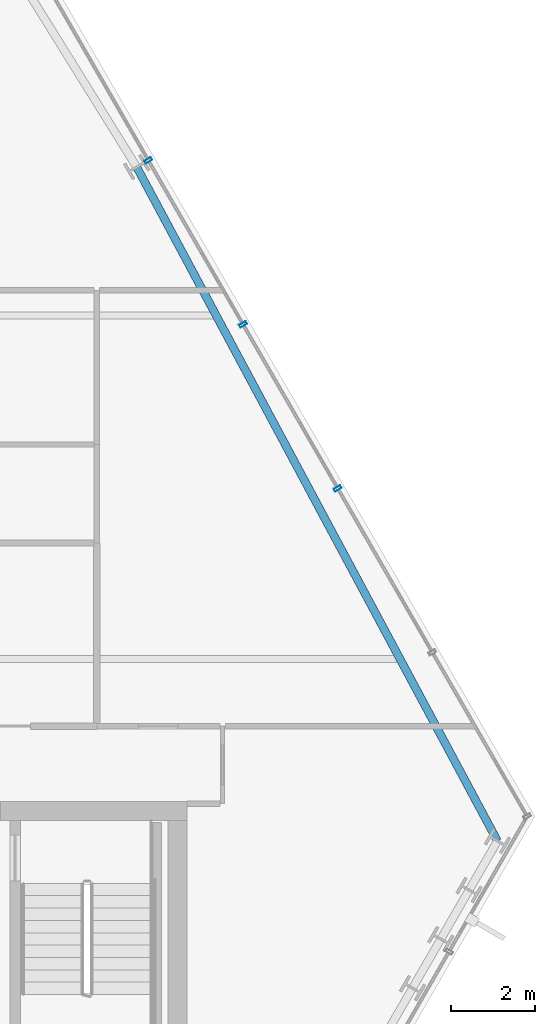
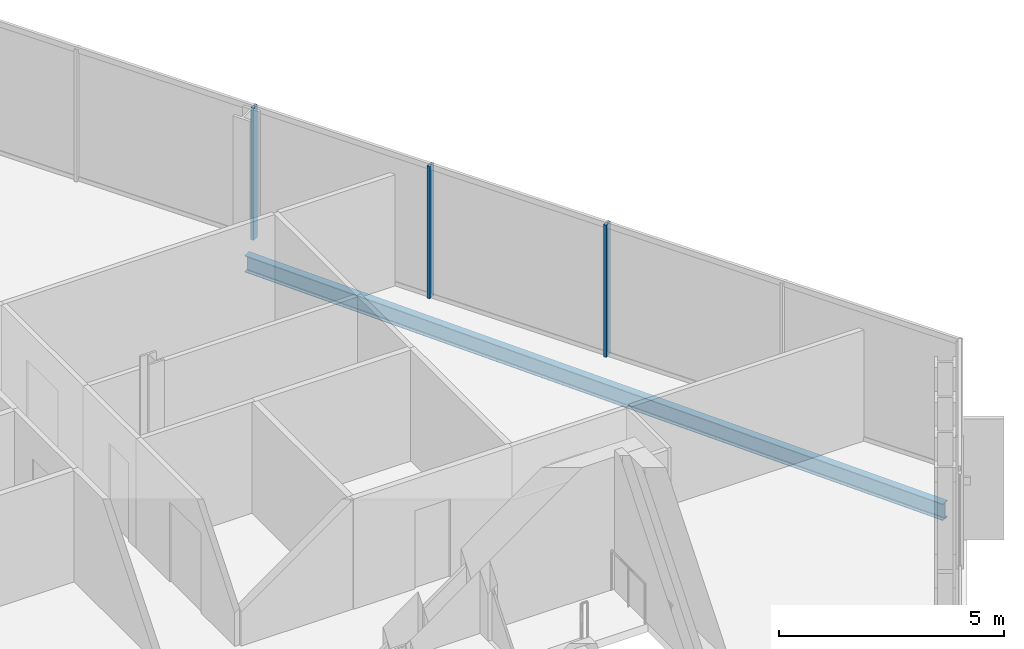
# One storey, part 18 of 33: 3 members, 1 beam, 1 element without a shape of its own.
"""IFC4 building model written with IfcOpenShell, lengths in metres."""

import ifcopenshell
import ifcopenshell.guid

model = None  # the IFC model being written
_history = None  # IfcOwnerHistory: only IFC2X3 demands one
_inside = {}  # id of a spatial element -> (the spatial element, [elements in it])
_under = {}  # id of a project, library or spatial element -> (it, [spatial elements below it])
_declared = {}  # id of a project -> (the project, [libraries it declares])
_typed = {}  # id of a type object -> (the type object, [elements of that type])
_made_of = {}  # id of a material, layer set ... -> (it, [elements and type objects made of it])


def new_model(schema):
    """Start an empty IFC model of exactly this schema.

    Asked for "IFC4X3", IfcOpenShell would pick the latest addendum, in which some entities
    have other attributes; the version numbers below select the first issue.
    IFC2X3 requires an IfcOwnerHistory on every rooted entity: one is made here for all.
    """
    global model, _history
    if schema == "IFC4X3":
        model = ifcopenshell.file(schema_version=(4, 3, 0, 0))
    else:
        model = ifcopenshell.file(schema=schema)
    _inside.clear()
    _under.clear()
    _declared.clear()
    _typed.clear()
    _made_of.clear()
    _history = None
    if model.schema == "IFC2X3":
        org = make("IfcOrganization", Name="unknown")
        user = make(
            "IfcPersonAndOrganization",
            ThePerson=make("IfcPerson", FamilyName="unknown"),
            TheOrganization=org,
        )
        app = make(
            "IfcApplication",
            ApplicationDeveloper=org,
            Version="unknown",
            ApplicationFullName="unknown",
            ApplicationIdentifier="unknown",
        )
        _history = make(
            "IfcOwnerHistory",
            OwningUser=user,
            OwningApplication=app,
            ChangeAction="ADDED",
            CreationDate=0,
        )
    return model


def make(cls, **values):
    """One entity of the class cls with the attributes given. An attribute that is None is left unset."""
    return model.create_entity(
        cls, **{name: value for name, value in values.items() if value is not None}
    )


def rooted(cls, **values):
    """An entity with a GlobalId (a new one), such as an element, a storey or a relation."""
    return make(cls, GlobalId=ifcopenshell.guid.new(), OwnerHistory=_history, **values)


def si_unit(unit_type, name, prefix=None):
    """IfcSIUnit, for example si_unit("LENGTHUNIT", "METRE", prefix="MILLI")."""
    return make("IfcSIUnit", UnitType=unit_type, Prefix=prefix, Name=name)


def assignment(units):
    """IfcUnitAssignment: the units of a project."""
    return None if units is None else make("IfcUnitAssignment", Units=units)


def point(xyz):
    """IfcCartesianPoint."""
    return None if xyz is None else make("IfcCartesianPoint", Coordinates=xyz)


def direction(xyz):
    """IfcDirection."""
    return None if xyz is None else make("IfcDirection", DirectionRatios=xyz)


def frame(location, z_axis=None, x_axis=None):
    """IfcAxis2Placement3D, a coordinate frame: its origin and axes. An axis left out is left unset."""
    return make(
        "IfcAxis2Placement3D",
        Location=point(location),
        Axis=direction(z_axis),
        RefDirection=direction(x_axis),
    )


def frame_2d(location, x_axis=None):
    """IfcAxis2Placement2D, a coordinate frame in the plane: its origin and x axis."""
    return make(
        "IfcAxis2Placement2D", Location=point(location), RefDirection=direction(x_axis)
    )


def origin():
    """The frame at (0, 0, 0) with its axes left unset."""
    return frame((0.0, 0.0, 0.0))


def origin_2d():
    """The frame at (0, 0) in the plane with its x axis left unset."""
    return frame_2d((0.0, 0.0))


def place(relative_to, where):
    """IfcLocalPlacement: puts the frame where relative to a parent placement (None: the world)."""
    return make(
        "IfcLocalPlacement", PlacementRelTo=relative_to, RelativePlacement=where
    )


def context(
    kind, dimensions, precision=None, world=None, true_north=None, identifier=None
):
    """IfcGeometricRepresentationContext, for example the 3D "Model" context."""
    return make(
        "IfcGeometricRepresentationContext",
        ContextIdentifier=identifier,
        ContextType=kind,
        CoordinateSpaceDimension=dimensions,
        Precision=precision,
        WorldCoordinateSystem=world,
        TrueNorth=true_north,
    )


def subcontext(parent, identifier, kind, view, scale=None):
    """IfcGeometricRepresentationSubContext, for example "Body" below "Model"."""
    return make(
        "IfcGeometricRepresentationSubContext",
        ContextIdentifier=identifier,
        ContextType=kind,
        ParentContext=parent,
        TargetScale=scale,
        TargetView=view,
    )


def project(units=None, contexts=None):
    """IfcProject with its units and contexts."""
    return rooted(
        "IfcProject",
        Name="project",
        RepresentationContexts=contexts,
        UnitsInContext=assignment(units),
    )


def spatial(cls, under=None, at=None, **own):
    """A site, building, storey or space (cls), placed at a placement, below another one or the project."""
    s = rooted(cls, ObjectPlacement=at, **own)
    if under is not None:
        _under.setdefault(under.id(), (under, []))[1].append(s)
    return s


def profile(cls, at=None, kind="AREA", **sizes):
    """A parametric profile (cls). Its sizes go by their IFC names, for example OverallWidth=200.0."""
    return make(cls, ProfileType=kind, Position=at, **sizes)


def hollow_rectangle(**sizes):
    """IfcRectangleHollowProfileDef."""
    return profile("IfcRectangleHollowProfileDef", **sizes)


def i_section(**sizes):
    """IfcIShapeProfileDef."""
    return profile("IfcIShapeProfileDef", **sizes)


def extrude(swept, where, along, depth):
    """IfcExtrudedAreaSolid: the profile swept, set in the frame where, extruded along a direction by depth."""
    return make(
        "IfcExtrudedAreaSolid",
        SweptArea=swept,
        Position=where,
        ExtrudedDirection=direction(along),
        Depth=depth,
    )


def shape(context_of_items, identifier, shape_type, items):
    """IfcShapeRepresentation: the items that make up one representation, for example the "Body"."""
    return make(
        "IfcShapeRepresentation",
        ContextOfItems=context_of_items,
        RepresentationIdentifier=identifier,
        RepresentationType=shape_type,
        Items=items,
    )


def material(Name=None, Category=None):
    """IfcMaterial."""
    return make("IfcMaterial", Name=Name, Category=Category)


def layer(
    of_material, thickness, ventilated=None, Name=None, Category=None, Priority=None
):
    """IfcMaterialLayer: one layer of a wall or slab, of a material (None: an air gap)."""
    return make(
        "IfcMaterialLayer",
        Material=of_material,
        LayerThickness=thickness,
        IsVentilated=ventilated,
        Name=Name,
        Category=Category,
        Priority=Priority,
    )


def layer_set(layers, Name=None):
    """IfcMaterialLayerSet."""
    return make("IfcMaterialLayerSet", MaterialLayers=layers, LayerSetName=Name)


def material_profile(
    of_material, cross_section, Name=None, Category=None, Priority=None
):
    """IfcMaterialProfile: a cross section and its material."""
    return make(
        "IfcMaterialProfile",
        Name=Name,
        Material=of_material,
        Profile=cross_section,
        Priority=Priority,
        Category=Category,
    )


def profile_set(profiles, Name=None, composite=None):
    """IfcMaterialProfileSet."""
    return make(
        "IfcMaterialProfileSet",
        Name=Name,
        MaterialProfiles=profiles,
        CompositeProfile=composite,
    )


def made_of(thing, what):
    """Note that an element or type object is made of a material, layer set ...; save() writes the relation."""
    if what is not None:
        _made_of.setdefault(what.id(), (what, []))[1].append(thing)
    return thing


def type_object(cls, material=None, **own):
    """A type object (cls), such as IfcWallType, which elements share."""
    return made_of(rooted(cls, **own), material)


def element(
    cls,
    number,
    at=None,
    inside=None,
    cuts=None,
    type_object=None,
    material=None,
    context=None,
    identifier="Body",
    shape_type=None,
    held_by="IfcProductDefinitionShape",
    body=None,
    shapes=None,
    **own,
):
    """One element of the class cls, such as IfcWall. Its Tag is "e" and its number.

    at: its placement. inside: the storey or other place that contains it. cuts: it is an
    opening in that element (IfcRelVoidsElement). A single representation is given by context,
    identifier, shape_type and body (its items); several are given by shapes. held_by: the class
    of the entity that holds the representations. save() writes the other relations.
    """
    e = rooted(cls, Tag="e%d" % number, ObjectPlacement=at, **own)
    if body is not None:
        shapes = [shape(context, identifier, shape_type, body)]
    if shapes is not None:
        e.Representation = make(held_by, Representations=shapes)
    if inside is not None:
        _inside.setdefault(inside.id(), (inside, []))[1].append(e)
    if cuts is not None:
        rooted(
            "IfcRelVoidsElement", RelatingBuildingElement=cuts, RelatedOpeningElement=e
        )
    if type_object is not None:
        _typed.setdefault(type_object.id(), (type_object, []))[1].append(e)
    return made_of(e, material)


def aggregate(whole, parts):
    """IfcRelAggregates: a whole, such as a stair, and the parts it consists of."""
    return rooted("IfcRelAggregates", RelatingObject=whole, RelatedObjects=parts)


def save(model, path):
    """Write the relations noted so far, then the file.

    IfcRelAggregates (storeys below a building ...), IfcRelContainedInSpatialStructure (elements
    in a storey), IfcRelDefinesByType, IfcRelAssociatesMaterial and IfcRelDeclares: one each for
    every whole, place, type object, material and project.
    """
    for whole, parts in _under.values():
        aggregate(whole, parts)
    for where, things in _inside.values():
        rooted(
            "IfcRelContainedInSpatialStructure",
            RelatedElements=things,
            RelatingStructure=where,
        )
    for kind, things in _typed.values():
        rooted("IfcRelDefinesByType", RelatedObjects=things, RelatingType=kind)
    for what, things in _made_of.values():
        rooted("IfcRelAssociatesMaterial", RelatedObjects=things, RelatingMaterial=what)
    for by, libraries in _declared.values():
        rooted("IfcRelDeclares", RelatingContext=by, RelatedDefinitions=libraries)
    model.write(path)


model = new_model("IFC4")

# Units and contexts
model_context = context("Model", 3, precision=1e-05, world=origin(), true_north=direction((0.0, 1.0)))
body_context = subcontext(model_context, "Body", "Model", "MODEL_VIEW")
ifc_project = project(units=[si_unit("LENGTHUNIT", "METRE"), si_unit("AREAUNIT", "SQUARE_METRE"), si_unit("VOLUMEUNIT", "CUBIC_METRE"), si_unit("PLANEANGLEUNIT", "RADIAN"), si_unit("MASSUNIT", "GRAM", prefix="KILO")], contexts=[model_context])

# Site, building, storey
site_placement = place(None, origin())
site = spatial("IfcSite", under=ifc_project, at=site_placement, CompositionType="ELEMENT")
building_placement = place(site_placement, origin())
building = spatial("IfcBuilding", under=site, at=building_placement, Name="Ndaravel Arena Tower", CompositionType="ELEMENT")
storey_placement = place(building_placement, frame((0.0, 0.0, 153.60009765625)))
storey = spatial("IfcBuildingStorey", under=building, at=storey_placement, Name="L36", CompositionType="ELEMENT", Elevation=153.60009765625)

# Beam
ifc_material_1 = material(Name="Steel S355", Category="steel")
ifc_material_profile_1 = material_profile(ifc_material_1, i_section(OverallWidth=0.18994140625, OverallDepth=0.449951171875, WebThickness=0.009521484375, FlangeThickness=0.0146484375, FilletRadius=0.02099609375, at=origin_2d()), Name="IPE 450")
ifc_profile_set_1 = profile_set([ifc_material_profile_1], Name="Steel S355")
beam_type = type_object("IfcBeamType", Name="BM-SPAN-IPE450", PredefinedType="SPANDREL", material=ifc_profile_set_1)
beam_placement = place(storey_placement, frame((64.960205078125, 14.260009765625, -0.445068359375), z_axis=(-0.47193833107, 0.881631562313, 0.0), x_axis=(-0.881631562313, -0.47193833107, 0.0)))
element("IfcBeam", 1, at=beam_placement, inside=storey, type_object=beam_type, Name="L36 Perimeter Spandrel Beam SP-09", PredefinedType="SPANDREL", context=body_context, shape_type="SweptSolid", body=[
    extrude(i_section(OverallWidth=0.18994140625, OverallDepth=0.449951171875, WebThickness=0.009521484375, FlangeThickness=0.0146484375, FilletRadius=0.02099609375, at=origin_2d()), origin(), (0.0, 0.0, 1.0), 18.238525390625),
])

# Curtain wall, members
ifc_material_2 = material(Name="Aluminium", Category="aluminium")
ifc_layer = layer(ifc_material_2, 0.179931640625)
ifc_layer_set = layer_set([ifc_layer], Name="Aluminium")
curtain_wall_type = type_object("IfcCurtainWallType", Name="CW-SYS-03", PredefinedType="NOTDEFINED", material=ifc_layer_set)
curtain_wall_placement = place(storey_placement, origin())
curtain_wall = element("IfcCurtainWall", 2, at=curtain_wall_placement, inside=storey, type_object=curtain_wall_type, Name="L36 Faceted Crystal Curtain Wall CW-L36-E03", PredefinedType="NOTDEFINED")
ifc_material_3 = material(Name="Aluminium", Category="aluminium")
ifc_material_profile_2 = material_profile(ifc_material_3, hollow_rectangle(XDim=0.074951171875, YDim=0.179931640625, WallThickness=0.00390625, at=origin_2d()), Name="CW MULLION 75x180x4")
ifc_profile_set_2 = profile_set([ifc_material_profile_2], Name="Aluminium")
member_type = type_object("IfcMemberType", Name="MEM-CW-MUL180", PredefinedType="MULLION", material=ifc_profile_set_2)
member_1_placement = place(storey_placement, frame((61.148681640625, 22.672607421875, 0.0), z_axis=(0.0, 0.0, 1.0), x_axis=(-0.5, 0.866025403784, 0.0)))
member_1 = element("IfcMember", 3, at=member_1_placement, type_object=member_type, Name="CW-L36-E03 Mullion 02", PredefinedType="MULLION", context=body_context, shape_type="SweptSolid", body=[
    extrude(hollow_rectangle(XDim=0.074951171875, YDim=0.179931640625, WallThickness=0.00390625, at=origin_2d()), origin(), (0.0, 0.0, 1.0), 3.579833984375),
])
member_2_placement = place(storey_placement, frame((58.889404296875, 26.5859375, 0.0), z_axis=(0.0, 0.0, 1.0), x_axis=(-0.5, 0.866025403784, 0.0)))
member_2 = element("IfcMember", 4, at=member_2_placement, type_object=member_type, Name="CW-L36-E03 Mullion 03", PredefinedType="MULLION", context=body_context, shape_type="SweptSolid", body=[
    extrude(hollow_rectangle(XDim=0.074951171875, YDim=0.179931640625, WallThickness=0.00390625, at=origin_2d()), origin(), (0.0, 0.0, 1.0), 3.579833984375),
])
member_3_placement = place(storey_placement, frame((56.6298828125, 30.49951171875, 0.0), z_axis=(0.0, 0.0, 1.0), x_axis=(-0.5, 0.866025403784, 0.0)))
member_3 = element("IfcMember", 5, at=member_3_placement, type_object=member_type, Name="CW-L36-E03 Mullion 04", PredefinedType="MULLION", context=body_context, shape_type="SweptSolid", body=[
    extrude(hollow_rectangle(XDim=0.074951171875, YDim=0.179931640625, WallThickness=0.00390625, at=origin_2d()), origin(), (0.0, 0.0, 1.0), 3.579833984375),
])
aggregate(curtain_wall, [member_1, member_2, member_3])

save(model, "model.ifc")
